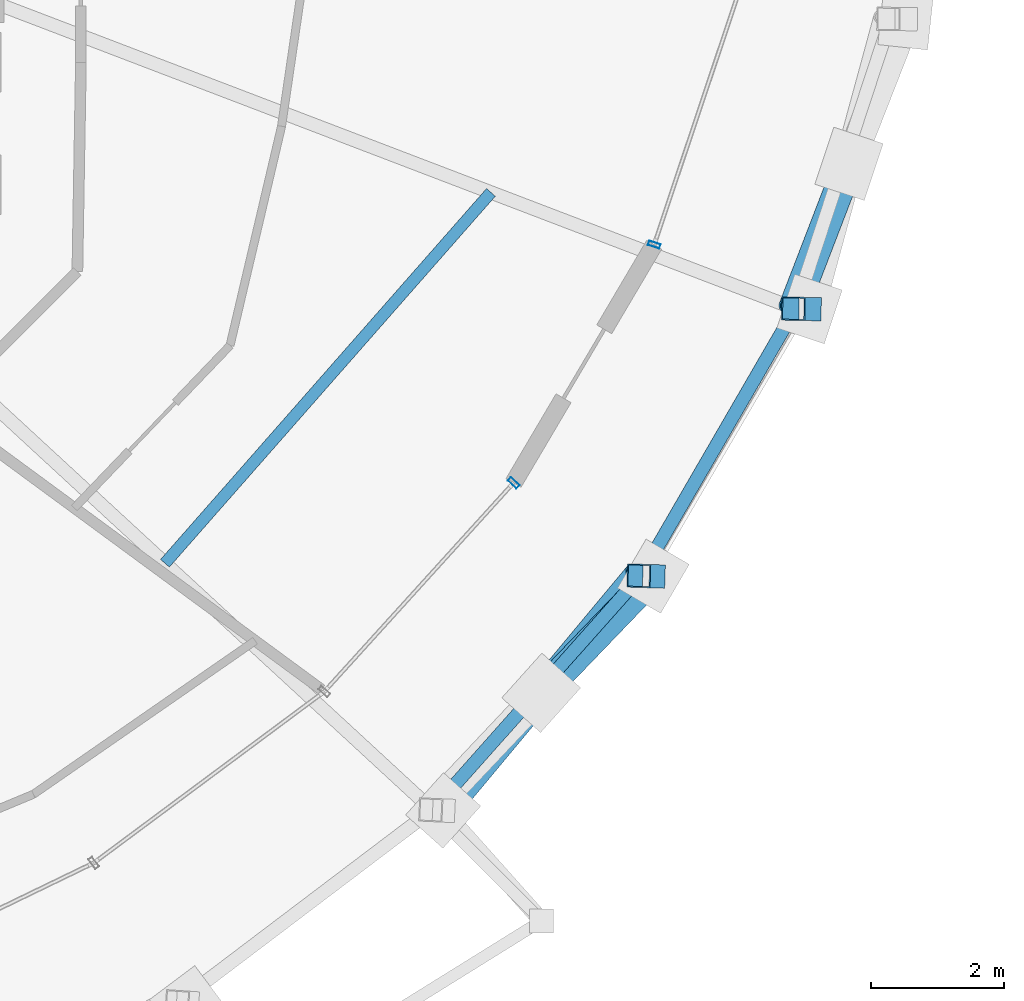
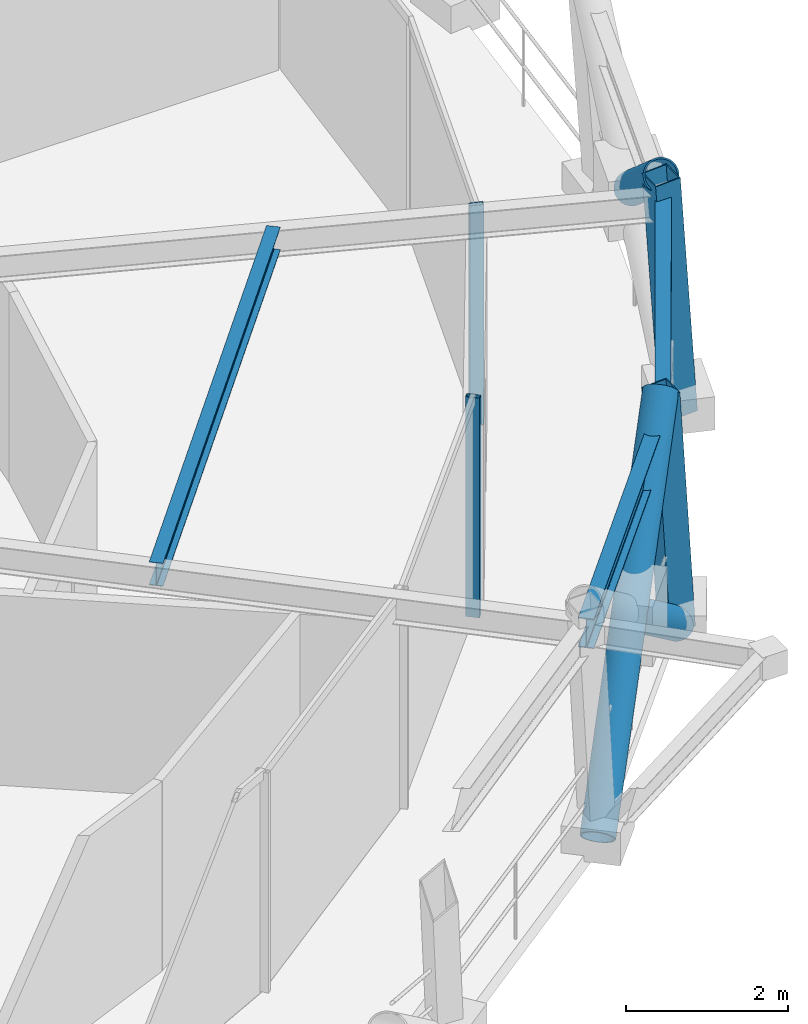
# One storey, part 6 of 18: 7 members, 3 beams, 2 elements without a shape of their own.
"""IFC4 building model written with IfcOpenShell, lengths in metres."""

import ifcopenshell
import ifcopenshell.guid

model = None  # the IFC model being written
_history = None  # IfcOwnerHistory: only IFC2X3 demands one
_inside = {}  # id of a spatial element -> (the spatial element, [elements in it])
_under = {}  # id of a project, library or spatial element -> (it, [spatial elements below it])
_declared = {}  # id of a project -> (the project, [libraries it declares])
_typed = {}  # id of a type object -> (the type object, [elements of that type])
_made_of = {}  # id of a material, layer set ... -> (it, [elements and type objects made of it])


def new_model(schema):
    """Start an empty IFC model of exactly this schema.

    Asked for "IFC4X3", IfcOpenShell would pick the latest addendum, in which some entities
    have other attributes; the version numbers below select the first issue.
    IFC2X3 requires an IfcOwnerHistory on every rooted entity: one is made here for all.
    """
    global model, _history
    if schema == "IFC4X3":
        model = ifcopenshell.file(schema_version=(4, 3, 0, 0))
    else:
        model = ifcopenshell.file(schema=schema)
    _inside.clear()
    _under.clear()
    _declared.clear()
    _typed.clear()
    _made_of.clear()
    _history = None
    if model.schema == "IFC2X3":
        org = make("IfcOrganization", Name="unknown")
        user = make(
            "IfcPersonAndOrganization",
            ThePerson=make("IfcPerson", FamilyName="unknown"),
            TheOrganization=org,
        )
        app = make(
            "IfcApplication",
            ApplicationDeveloper=org,
            Version="unknown",
            ApplicationFullName="unknown",
            ApplicationIdentifier="unknown",
        )
        _history = make(
            "IfcOwnerHistory",
            OwningUser=user,
            OwningApplication=app,
            ChangeAction="ADDED",
            CreationDate=0,
        )
    return model


def make(cls, **values):
    """One entity of the class cls with the attributes given. An attribute that is None is left unset."""
    return model.create_entity(
        cls, **{name: value for name, value in values.items() if value is not None}
    )


def rooted(cls, **values):
    """An entity with a GlobalId (a new one), such as an element, a storey or a relation."""
    return make(cls, GlobalId=ifcopenshell.guid.new(), OwnerHistory=_history, **values)


def si_unit(unit_type, name, prefix=None):
    """IfcSIUnit, for example si_unit("LENGTHUNIT", "METRE", prefix="MILLI")."""
    return make("IfcSIUnit", UnitType=unit_type, Prefix=prefix, Name=name)


def assignment(units):
    """IfcUnitAssignment: the units of a project."""
    return None if units is None else make("IfcUnitAssignment", Units=units)


def point(xyz):
    """IfcCartesianPoint."""
    return None if xyz is None else make("IfcCartesianPoint", Coordinates=xyz)


def direction(xyz):
    """IfcDirection."""
    return None if xyz is None else make("IfcDirection", DirectionRatios=xyz)


def frame(location, z_axis=None, x_axis=None):
    """IfcAxis2Placement3D, a coordinate frame: its origin and axes. An axis left out is left unset."""
    return make(
        "IfcAxis2Placement3D",
        Location=point(location),
        Axis=direction(z_axis),
        RefDirection=direction(x_axis),
    )


def frame_2d(location, x_axis=None):
    """IfcAxis2Placement2D, a coordinate frame in the plane: its origin and x axis."""
    return make(
        "IfcAxis2Placement2D", Location=point(location), RefDirection=direction(x_axis)
    )


def origin():
    """The frame at (0, 0, 0) with its axes left unset."""
    return frame((0.0, 0.0, 0.0))


def origin_2d():
    """The frame at (0, 0) in the plane with its x axis left unset."""
    return frame_2d((0.0, 0.0))


def place(relative_to, where):
    """IfcLocalPlacement: puts the frame where relative to a parent placement (None: the world)."""
    return make(
        "IfcLocalPlacement", PlacementRelTo=relative_to, RelativePlacement=where
    )


def context(
    kind, dimensions, precision=None, world=None, true_north=None, identifier=None
):
    """IfcGeometricRepresentationContext, for example the 3D "Model" context."""
    return make(
        "IfcGeometricRepresentationContext",
        ContextIdentifier=identifier,
        ContextType=kind,
        CoordinateSpaceDimension=dimensions,
        Precision=precision,
        WorldCoordinateSystem=world,
        TrueNorth=true_north,
    )


def subcontext(parent, identifier, kind, view, scale=None):
    """IfcGeometricRepresentationSubContext, for example "Body" below "Model"."""
    return make(
        "IfcGeometricRepresentationSubContext",
        ContextIdentifier=identifier,
        ContextType=kind,
        ParentContext=parent,
        TargetScale=scale,
        TargetView=view,
    )


def project(units=None, contexts=None):
    """IfcProject with its units and contexts."""
    return rooted(
        "IfcProject",
        Name="project",
        RepresentationContexts=contexts,
        UnitsInContext=assignment(units),
    )


def spatial(cls, under=None, at=None, **own):
    """A site, building, storey or space (cls), placed at a placement, below another one or the project."""
    s = rooted(cls, ObjectPlacement=at, **own)
    if under is not None:
        _under.setdefault(under.id(), (under, []))[1].append(s)
    return s


def profile(cls, at=None, kind="AREA", **sizes):
    """A parametric profile (cls). Its sizes go by their IFC names, for example OverallWidth=200.0."""
    return make(cls, ProfileType=kind, Position=at, **sizes)


def hollow_rectangle(**sizes):
    """IfcRectangleHollowProfileDef."""
    return profile("IfcRectangleHollowProfileDef", **sizes)


def hollow_circle(**sizes):
    """IfcCircleHollowProfileDef."""
    return profile("IfcCircleHollowProfileDef", **sizes)


def i_section(**sizes):
    """IfcIShapeProfileDef."""
    return profile("IfcIShapeProfileDef", **sizes)


def extrude(swept, where, along, depth):
    """IfcExtrudedAreaSolid: the profile swept, set in the frame where, extruded along a direction by depth."""
    return make(
        "IfcExtrudedAreaSolid",
        SweptArea=swept,
        Position=where,
        ExtrudedDirection=direction(along),
        Depth=depth,
    )


def shape(context_of_items, identifier, shape_type, items):
    """IfcShapeRepresentation: the items that make up one representation, for example the "Body"."""
    return make(
        "IfcShapeRepresentation",
        ContextOfItems=context_of_items,
        RepresentationIdentifier=identifier,
        RepresentationType=shape_type,
        Items=items,
    )


def material(Name=None, Category=None):
    """IfcMaterial."""
    return make("IfcMaterial", Name=Name, Category=Category)


def layer(
    of_material, thickness, ventilated=None, Name=None, Category=None, Priority=None
):
    """IfcMaterialLayer: one layer of a wall or slab, of a material (None: an air gap)."""
    return make(
        "IfcMaterialLayer",
        Material=of_material,
        LayerThickness=thickness,
        IsVentilated=ventilated,
        Name=Name,
        Category=Category,
        Priority=Priority,
    )


def layer_set(layers, Name=None):
    """IfcMaterialLayerSet."""
    return make("IfcMaterialLayerSet", MaterialLayers=layers, LayerSetName=Name)


def material_profile(
    of_material, cross_section, Name=None, Category=None, Priority=None
):
    """IfcMaterialProfile: a cross section and its material."""
    return make(
        "IfcMaterialProfile",
        Name=Name,
        Material=of_material,
        Profile=cross_section,
        Priority=Priority,
        Category=Category,
    )


def profile_set(profiles, Name=None, composite=None):
    """IfcMaterialProfileSet."""
    return make(
        "IfcMaterialProfileSet",
        Name=Name,
        MaterialProfiles=profiles,
        CompositeProfile=composite,
    )


def made_of(thing, what):
    """Note that an element or type object is made of a material, layer set ...; save() writes the relation."""
    if what is not None:
        _made_of.setdefault(what.id(), (what, []))[1].append(thing)
    return thing


def type_object(cls, material=None, **own):
    """A type object (cls), such as IfcWallType, which elements share."""
    return made_of(rooted(cls, **own), material)


def element(
    cls,
    number,
    at=None,
    inside=None,
    cuts=None,
    type_object=None,
    material=None,
    context=None,
    identifier="Body",
    shape_type=None,
    held_by="IfcProductDefinitionShape",
    body=None,
    shapes=None,
    **own,
):
    """One element of the class cls, such as IfcWall. Its Tag is "e" and its number.

    at: its placement. inside: the storey or other place that contains it. cuts: it is an
    opening in that element (IfcRelVoidsElement). A single representation is given by context,
    identifier, shape_type and body (its items); several are given by shapes. held_by: the class
    of the entity that holds the representations. save() writes the other relations.
    """
    e = rooted(cls, Tag="e%d" % number, ObjectPlacement=at, **own)
    if body is not None:
        shapes = [shape(context, identifier, shape_type, body)]
    if shapes is not None:
        e.Representation = make(held_by, Representations=shapes)
    if inside is not None:
        _inside.setdefault(inside.id(), (inside, []))[1].append(e)
    if cuts is not None:
        rooted(
            "IfcRelVoidsElement", RelatingBuildingElement=cuts, RelatedOpeningElement=e
        )
    if type_object is not None:
        _typed.setdefault(type_object.id(), (type_object, []))[1].append(e)
    return made_of(e, material)


def aggregate(whole, parts):
    """IfcRelAggregates: a whole, such as a stair, and the parts it consists of."""
    return rooted("IfcRelAggregates", RelatingObject=whole, RelatedObjects=parts)


def save(model, path):
    """Write the relations noted so far, then the file.

    IfcRelAggregates (storeys below a building ...), IfcRelContainedInSpatialStructure (elements
    in a storey), IfcRelDefinesByType, IfcRelAssociatesMaterial and IfcRelDeclares: one each for
    every whole, place, type object, material and project.
    """
    for whole, parts in _under.values():
        aggregate(whole, parts)
    for where, things in _inside.values():
        rooted(
            "IfcRelContainedInSpatialStructure",
            RelatedElements=things,
            RelatingStructure=where,
        )
    for kind, things in _typed.values():
        rooted("IfcRelDefinesByType", RelatedObjects=things, RelatingType=kind)
    for what, things in _made_of.values():
        rooted("IfcRelAssociatesMaterial", RelatedObjects=things, RelatingMaterial=what)
    for by, libraries in _declared.values():
        rooted("IfcRelDeclares", RelatingContext=by, RelatedDefinitions=libraries)
    model.write(path)


model = new_model("IFC4")

# Units and contexts
model_context = context("Model", 3, precision=1e-05, world=origin(), true_north=direction((0.0, 1.0)))
body_context = subcontext(model_context, "Body", "Model", "MODEL_VIEW")
ifc_project = project(units=[si_unit("LENGTHUNIT", "METRE"), si_unit("AREAUNIT", "SQUARE_METRE"), si_unit("VOLUMEUNIT", "CUBIC_METRE"), si_unit("PLANEANGLEUNIT", "RADIAN"), si_unit("MASSUNIT", "GRAM", prefix="KILO")], contexts=[model_context])

# Site, building, storey
site_placement = place(None, origin())
site = spatial("IfcSite", under=ifc_project, at=site_placement, CompositionType="ELEMENT")
building_placement = place(site_placement, origin())
building = spatial("IfcBuilding", under=site, at=building_placement, Name="Veldorina Hangang Commons", CompositionType="ELEMENT")
storey_placement = place(building_placement, frame((0.0, 0.0, 218.39990234375)))
storey = spatial("IfcBuildingStorey", under=building, at=storey_placement, Name="L56", CompositionType="ELEMENT", Elevation=218.39990234375)

# Beams
ifc_material_1 = material(Name="Steel SM355-TMC", Category="steel")
ifc_material_profile_1 = material_profile(ifc_material_1, i_section(OverallWidth=0.175048828125, OverallDepth=0.35009765625, WebThickness=0.007080078125, FlangeThickness=0.010986328125, FilletRadius=0.012939453125, at=origin_2d()), Name="H-350x175x7x11")
ifc_profile_set_1 = profile_set([ifc_material_profile_1], Name="Steel SM355-TMC")
beam_type_1 = type_object("IfcBeamType", Name="BM-JST350", PredefinedType="JOIST", material=ifc_profile_set_1)
beam_1_placement = place(storey_placement, frame((45.73974609375, 11.32421875, 3.18505859375), z_axis=(0.66020090792, 0.751089050101, 0.0), x_axis=(-0.751089050101, 0.66020090792, 0.0)))
element("IfcBeam", 1, at=beam_1_placement, inside=storey, type_object=beam_type_1, Name="L56 secondary floor joist 15", PredefinedType="JOIST", context=body_context, shape_type="SweptSolid", body=[
    extrude(i_section(OverallWidth=0.175048828125, OverallDepth=0.35009765625, WebThickness=0.007080078125, FlangeThickness=0.010986328125, FilletRadius=0.012939453125, at=origin_2d()), origin(), (0.0, 0.0, 1.0), 7.400390625),
])
ifc_material_profile_2 = material_profile(ifc_material_1, i_section(OverallWidth=0.199951171875, OverallDepth=0.449951171875, WebThickness=0.009033203125, FlangeThickness=0.013916015625, FilletRadius=0.01611328125, at=origin_2d()), Name="H-450x200x9x14")
ifc_profile_set_2 = profile_set([ifc_material_profile_2], Name="Steel SM355-TMC")
beam_type_2 = type_object("IfcBeamType", Name="BM-RB450", PredefinedType="BEAM", material=ifc_profile_set_2)
beam_2_placement = place(storey_placement, frame((49.748046875, 7.626220703125, 3.135009765625), z_axis=(0.664650971926, 0.747153990498, 0.0), x_axis=(-0.747153990498, 0.664650971926, 0.0)))
element("IfcBeam", 2, at=beam_2_placement, inside=storey, type_object=beam_type_2, Name="L56 perimeter hoop ring beam 28", PredefinedType="BEAM", context=body_context, shape_type="SweptSolid", body=[
    extrude(i_section(OverallWidth=0.199951171875, OverallDepth=0.449951171875, WebThickness=0.009033203125, FlangeThickness=0.013916015625, FilletRadius=0.01611328125, at=origin_2d()), origin(), (0.0, 0.0, 1.0), 4.6962890625),
])
beam_3_placement = place(storey_placement, frame((52.869384765625, 11.135009765625, 3.135009765625), z_axis=(0.501306631992, 0.865269704035, 0.0), x_axis=(-0.865269704035, 0.501306631992, 0.0)))
element("IfcBeam", 3, at=beam_3_placement, inside=storey, type_object=beam_type_2, Name="L56 perimeter hoop ring beam 29", PredefinedType="BEAM", context=body_context, shape_type="SweptSolid", body=[
    extrude(i_section(OverallWidth=0.199951171875, OverallDepth=0.449951171875, WebThickness=0.009033203125, FlangeThickness=0.013916015625, FilletRadius=0.01611328125, at=origin_2d()), origin(), (0.0, 0.0, 1.0), 4.626953125),
])

# Curtain wall, member
ifc_material_2 = material(Name="Glass Low-E Selective", Category="glass")
ifc_layer = layer(ifc_material_2, 0.179931640625)
ifc_layer_set = layer_set([ifc_layer], Name="Glass Low-E Selective")
curtain_wall_type = type_object("IfcCurtainWallType", Name="CW-SYS-Z3", PredefinedType="NOTDEFINED", material=ifc_layer_set)
curtain_wall_1_placement = place(storey_placement, origin())
curtain_wall_1 = element("IfcCurtainWall", 4, at=curtain_wall_1_placement, inside=storey, type_object=curtain_wall_type, Name="L56 unitised curtain wall CW-L56-R1", PredefinedType="NOTDEFINED")
ifc_material_3 = material(Name="Aluminium Anodized AA6063-T6", Category="aluminium")
ifc_material_profile_3 = material_profile(ifc_material_3, hollow_rectangle(XDim=0.070068359375, YDim=0.179931640625, WallThickness=0.00390625, at=origin_2d()), Name="ALU-RHS-180x70x4")
ifc_profile_set_3 = profile_set([ifc_material_profile_3], Name="Aluminium Anodized AA6063-T6")
member_type_1 = type_object("IfcMemberType", Name="CW-MUL-180", PredefinedType="MULLION", material=ifc_profile_set_3)
member_1_placement = place(storey_placement, frame((50.964599609375, 12.529296875, 0.0), z_axis=(0.0, 0.0, 1.0), x_axis=(-0.671668869769, -0.740851489425, 0.0)))
member_1 = element("IfcMember", 5, at=member_1_placement, type_object=member_type_1, Name="CW-L56-R1 vertical mullion 4", PredefinedType="MULLION", context=body_context, shape_type="SweptSolid", body=[
    extrude(hollow_rectangle(XDim=0.070068359375, YDim=0.179931640625, WallThickness=0.00390625, at=origin_2d()), origin(), (0.0, 0.0, 1.0), 3.320068359375),
])
aggregate(curtain_wall_1, [member_1])

curtain_wall_2_placement = place(storey_placement, origin())
curtain_wall_2 = element("IfcCurtainWall", 6, at=curtain_wall_2_placement, inside=storey, type_object=curtain_wall_type, Name="L56 unitised curtain wall CW-L56-R2", PredefinedType="NOTDEFINED")
member_2_placement = place(storey_placement, frame((53.072509765625, 16.098876953125, 0.0), z_axis=(0.0, 0.0, 1.0), x_axis=(0.317734959345, 0.948179569285, 0.0)))
member_2 = element("IfcMember", 7, at=member_2_placement, type_object=member_type_1, Name="CW-L56-R2 vertical mullion 1", PredefinedType="MULLION", context=body_context, shape_type="SweptSolid", body=[
    extrude(hollow_rectangle(XDim=0.070068359375, YDim=0.179931640625, WallThickness=0.00390625, at=origin_2d()), origin(), (0.0, 0.0, 1.0), 3.320068359375),
])
aggregate(curtain_wall_2, [member_2])

# Members
ifc_material_profile_4 = material_profile(ifc_material_1, hollow_circle(Radius=0.22509765625, WallThickness=0.02197265625, at=origin_2d()), Name="CHS-450x22")
ifc_profile_set_4 = profile_set([ifc_material_profile_4], Name="Steel SM355-TMC")
member_type_2 = type_object("IfcMemberType", Name="DG-CHS450", PredefinedType="BRACE", material=ifc_profile_set_4)
member_3_placement = place(storey_placement, frame((49.91015625, 7.61865234375, 0.0), z_axis=(0.503251284712, 0.603893158325, 0.618102902246), x_axis=(-0.768216908885, 0.640189644483, 0.0)))
element("IfcMember", 8, at=member_3_placement, inside=storey, type_object=member_type_2, Name="L56 continuous perimeter diagrid brace 28", PredefinedType="BRACE", context=body_context, shape_type="SweptSolid", body=[
    extrude(hollow_circle(Radius=0.22509765625, WallThickness=0.02197265625, at=origin_2d()), origin(), (0.0, 0.0, 1.0), 5.824462890625),
])
member_4_placement = place(storey_placement, frame((53.06005859375, 11.12939453125, 0.0), z_axis=(-0.556052320803, -0.578265334781, 0.597005041118), x_axis=(0.720815651535, -0.693126825698, 0.0)))
element("IfcMember", 9, at=member_4_placement, inside=storey, type_object=member_type_2, Name="L56 split perimeter diagrid lower brace 29", PredefinedType="BRACE", context=body_context, shape_type="SweptSolid", body=[
    extrude(hollow_circle(Radius=0.22509765625, WallThickness=0.02197265625, at=origin_2d()), origin(), (0.0, 0.0, 1.0), 3.0224609375),
])
member_5_placement = place(storey_placement, frame((55.99267578125, 17.310302734375, 1.801513671875), z_axis=(-0.284038475707, -0.738367192185, 0.611666603489), x_axis=(0.933323965248, -0.35903534073, 0.0)))
element("IfcMember", 10, at=member_5_placement, inside=storey, type_object=member_type_2, Name="L56 split perimeter diagrid upper brace 31", PredefinedType="BRACE", context=body_context, shape_type="SweptSolid", body=[
    extrude(hollow_circle(Radius=0.22509765625, WallThickness=0.02197265625, at=origin_2d()), origin(), (0.0, 0.0, 1.0), 2.9404296875),
])
ifc_material_profile_5 = material_profile(ifc_material_1, hollow_rectangle(XDim=0.35009765625, YDim=0.35009765625, WallThickness=0.01611328125, at=origin_2d()), Name="SHS-350x350x16")
ifc_profile_set_5 = profile_set([ifc_material_profile_5], Name="Steel SM355-TMC")
member_type_3 = type_object("IfcMemberType", Name="STR-SHS350", PredefinedType="STRUT", material=ifc_profile_set_5)
member_6_placement = place(storey_placement, frame((53.06005859375, 11.12939453125, 0.0), z_axis=(-0.060650280349, 0.001827631216, 0.998157404049), x_axis=(-0.03012025627, -0.999546282151, 0.0)))
element("IfcMember", 11, at=member_6_placement, inside=storey, type_object=member_type_3, Name="L56 perimeter ring node post 29", PredefinedType="STRUT", context=body_context, shape_type="SweptSolid", body=[
    extrude(hollow_rectangle(XDim=0.35009765625, YDim=0.35009765625, WallThickness=0.01611328125, at=origin_2d()), origin(), (0.0, 0.0, 1.0), 3.606689453125),
])
member_7_placement = place(storey_placement, frame((55.400634765625, 15.134521484375, 0.0), z_axis=(-0.067390137599, 0.001285554834, 0.997725872524), x_axis=(-0.019072835182, -0.999818096935, 0.0)))
element("IfcMember", 12, at=member_7_placement, inside=storey, type_object=member_type_3, Name="L56 perimeter ring node post 30", PredefinedType="STRUT", context=body_context, shape_type="SweptSolid", body=[
    extrude(hollow_rectangle(XDim=0.35009765625, YDim=0.35009765625, WallThickness=0.01611328125, at=origin_2d()), origin(), (0.0, 0.0, 1.0), 3.6083984375),
])

save(model, "model.ifc")
